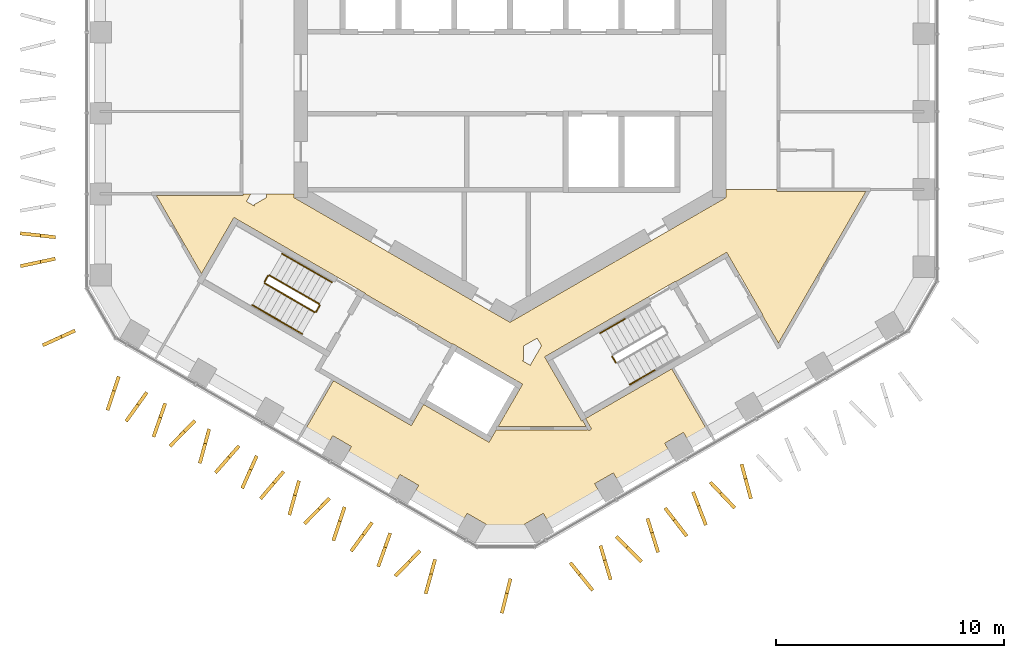
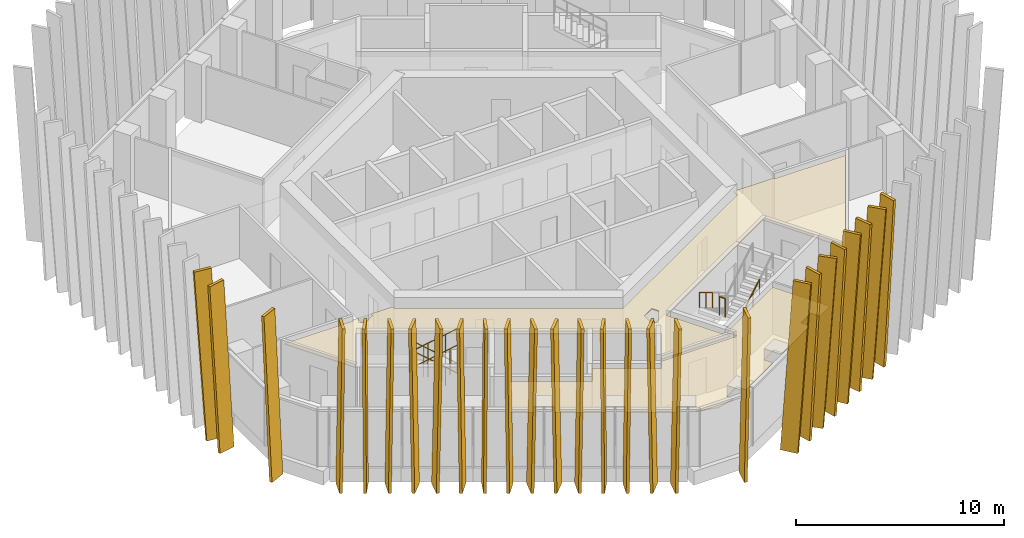
# One storey, part 17 of 20: 27 shading devices, 11 railings, 2 coverings.
"""IFC4 building model written with IfcOpenShell, lengths in metres."""

from ifc_helpers import new_model, si_unit, direction, frame, origin, origin_2d, place, context, subcontext, project, spatial, polyline, circle, outline, extrude, material, layer, layer_set, type_object, element, save


model = new_model("IFC4")

# Units and contexts
model_context = context("Model", 3, precision=1e-05, world=origin(), true_north=direction((0.0, 1.0)))
body_context = subcontext(model_context, "Body", "Model", "MODEL_VIEW")
ifc_project = project(units=[si_unit("LENGTHUNIT", "METRE"), si_unit("AREAUNIT", "SQUARE_METRE"), si_unit("VOLUMEUNIT", "CUBIC_METRE"), si_unit("PLANEANGLEUNIT", "RADIAN"), si_unit("MASSUNIT", "GRAM", prefix="KILO")], contexts=[model_context])

# Site, building, storey
site_placement = place(None, origin())
site = spatial("IfcSite", under=ifc_project, at=site_placement, CompositionType="ELEMENT")
building_placement = place(site_placement, origin())
building = spatial("IfcBuilding", under=site, at=building_placement, Name="Ayvan Gate Tower", CompositionType="ELEMENT")
storey_placement = place(building_placement, frame((0.0, 0.0, 162.89990234375)))
storey = spatial("IfcBuildingStorey", under=building, at=storey_placement, Name="L43", CompositionType="ELEMENT", Elevation=162.89990234375)

# Shading devices
ifc_material_1 = material(Name="Bronze anodised aluminium", Category="aluminium")
ifc_layer_1 = layer(ifc_material_1, 0.14990234375)
ifc_layer_set_1 = layer_set([ifc_layer_1], Name="Bronze anodised aluminium")
shading_device_type = type_object("IfcShadingDeviceType", Name="Bronze fin 900 x 150", PredefinedType="USERDEFINED", material=ifc_layer_set_1)
shading_device_1_placement = place(storey_placement, frame((-19.9609375, -7.156005859375, 0.0), z_axis=(0.111220487062, 0.99379574232, 0.000160634265), x_axis=(-0.993795755142, 0.111220488497, -2.424e-09)))
element("IfcShadingDevice", 1, at=shading_device_1_placement, inside=storey, type_object=shading_device_type, Name="Bronze fin FG16.3.30", ObjectType="FIN", PredefinedType="USERDEFINED", context=body_context, shape_type="SweptSolid", body=[
    extrude(outline(polyline([(0.0, 0.0), (0.8998716434007181, 0.0), (1.5642121419824784, 10.080078258840933), (0.6640978726649773, 10.080078254478572), (0.0, 0.0)])), origin(), (0.0, 0.0, -1.0), 0.14990234375),
])
shading_device_2_placement = place(storey_placement, frame((-19.997314453125, -8.101806640625, 0.0), z_axis=(-0.206174540305, 0.978515219579, 0.000154859821), x_axis=(-0.978515231313, -0.206174542777, 0.0)))
element("IfcShadingDevice", 2, at=shading_device_2_placement, inside=storey, type_object=shading_device_type, Name="Bronze fin FG16.3.31", ObjectType="FIN", PredefinedType="USERDEFINED", context=body_context, shape_type="SweptSolid", body=[
    extrude(outline(polyline([(0.0, 0.0), (0.8999504618786536, 0.0), (1.5639522883058996, 10.080078245868021), (0.6640018264272461, 10.080078245868021), (0.0, 0.0)])), origin(), (0.0, 0.0, -1.0), 0.14990234375),
])
shading_device_3_placement = place(storey_placement, frame((-19.140380859375, -11.26171875, 0.0), z_axis=(-0.413700742205, 0.910412912026, 0.000159733289), x_axis=(-0.910412923641, -0.413700747483, 0.0)))
element("IfcShadingDevice", 3, at=shading_device_3_placement, inside=storey, type_object=shading_device_type, Name="Bronze fin FG16.4.32", ObjectType="FIN", PredefinedType="USERDEFINED", context=body_context, shape_type="SweptSolid", body=[
    extrude(outline(polyline([(0.0, 0.0), (0.8999607938598058, 0.0), (1.5638637981485566, 10.080078253595206), (0.6639030042887506, 10.080078253595206), (0.0, 0.0)])), origin(), (0.0, 0.0, -1.0), 0.14990234375),
])
shading_device_4_placement = place(storey_placement, frame((-17.263427734375, -13.3271484375, 0.0), z_axis=(-0.947920913203, 0.31850576763, 0.000135268703), x_axis=(-0.318505770544, -0.947920921876, 0.0)))
element("IfcShadingDevice", 4, at=shading_device_4_placement, inside=storey, type_object=shading_device_type, Name="Bronze fin FG16.5.33", ObjectType="FIN", PredefinedType="USERDEFINED", context=body_context, shape_type="SweptSolid", body=[
    extrude(outline(polyline([(0.0, 0.0), (0.8998929383919106, 0.0), (1.5639235650711985, 10.08007821722073), (0.6640306266792877, 10.08007821722073), (0.0, 0.0)])), origin(), (0.0, 0.0, -1.0), 0.14990234375),
])
shading_device_5_placement = place(storey_placement, frame((-16.019775390625, -14.005126953125, 0.0), z_axis=(-0.812228178315, 0.583339836914, 0.000144983554), x_axis=(-0.583339843045, -0.812228186852, 0.0)))
element("IfcShadingDevice", 5, at=shading_device_5_placement, inside=storey, type_object=shading_device_type, Name="Bronze fin FG16.5.34", ObjectType="FIN", PredefinedType="USERDEFINED", context=body_context, shape_type="SweptSolid", body=[
    extrude(outline(polyline([(0.0, 0.0), (0.9002410698267411, 1.3552527156068805e-20), (1.5643779373071562, 10.080078230942789), (0.6641368674804151, 10.080078230942789), (0.0, 0.0)])), origin(), (0.0, 0.0, -1.0), 0.14990234375),
])
shading_device_6_placement = place(storey_placement, frame((-15.220703125, -14.503173828125, 0.0), z_axis=(-0.943928111548, 0.330151030824, 0.000130674048), x_axis=(-0.330151033642, -0.943928119607, 5.851e-09)))
element("IfcShadingDevice", 6, at=shading_device_6_placement, inside=storey, type_object=shading_device_type, Name="Bronze fin FG16.5.35", ObjectType="FIN", PredefinedType="USERDEFINED", context=body_context, shape_type="SweptSolid", body=[
    extrude(outline(polyline([(0.0, 0.0), (0.9000643711365355, -6.776263578034403e-21), (1.5640722944504677, 10.08007820191067), (0.6642383745150081, 10.080078212442077), (0.0, 0.0)])), origin(), (0.0, 0.0, -1.0), 0.14990234375),
])
shading_device_7_placement = place(storey_placement, frame((-13.89990234375, -15.2412109375, 0.0), z_axis=(-0.714123341026, 0.700019879677, 0.000147848231), x_axis=(-0.700019887328, -0.714123348831, 0.0)))
element("IfcShadingDevice", 7, at=shading_device_7_placement, inside=storey, type_object=shading_device_type, Name="Bronze fin FG16.5.36", ObjectType="FIN", PredefinedType="USERDEFINED", context=body_context, shape_type="SweptSolid", body=[
    extrude(outline(polyline([(0.0, 0.0), (0.9001557877600155, 0.0), (1.5643247199125403, 10.080078235170719), (0.6641689321525247, 10.080078235170719), (0.0, 0.0)])), origin(), (0.0, 0.0, -1.0), 0.14990234375),
])
shading_device_8_placement = place(storey_placement, frame((-13.29052734375, -15.637451171875, 0.0), z_axis=(-0.964248710343, 0.264998872013, 0.000149782289), x_axis=(-0.264998874985, -0.964248721159, 0.0)))
element("IfcShadingDevice", 8, at=shading_device_8_placement, inside=storey, type_object=shading_device_type, Name="Bronze fin FG16.5.37", ObjectType="FIN", PredefinedType="USERDEFINED", context=body_context, shape_type="SweptSolid", body=[
    extrude(outline(polyline([(0.0, 0.0), (0.9000996349073335, 6.776263578034403e-21), (1.564315232723871, 10.08007823807194), (0.6642155978165373, 10.08007823807194), (0.0, 0.0)])), origin(), (0.0, 0.0, -1.0), 0.14990234375),
])
shading_device_9_placement = place(storey_placement, frame((-11.965576171875, -16.351318359375, 0.0), z_axis=(-0.750700055099, 0.660643174054, 0.000154437293), x_axis=(-0.660643181935, -0.750700064048, -2.9562e-08)))
element("IfcShadingDevice", 9, at=shading_device_9_placement, inside=storey, type_object=shading_device_type, Name="Bronze fin FG16.5.38", ObjectType="FIN", PredefinedType="USERDEFINED", context=body_context, shape_type="SweptSolid", body=[
    extrude(outline(polyline([(0.0, 0.0), (0.9000277999063849, 0.0), (1.5642256496536986, 10.080078291451548), (0.664175863203829, 10.080078238237023), (0.0, 0.0)])), origin(), (0.0, 0.0, -1.0), 0.14990234375),
])
shading_device_10_placement = place(storey_placement, frame((-11.1982421875, -16.806640625, 0.0), z_axis=(-0.912012836226, 0.410161632473, 0.000147672089), x_axis=(-0.410161636945, -0.91201284617, 0.0)))
element("IfcShadingDevice", 10, at=shading_device_10_placement, inside=storey, type_object=shading_device_type, Name="Bronze fin FG16.5.39", ObjectType="FIN", PredefinedType="USERDEFINED", context=body_context, shape_type="SweptSolid", body=[
    extrude(outline(polyline([(0.0, 0.0), (0.8999881796590448, 6.776263578034403e-21), (1.5640036371903856, 10.080078234908365), (0.6640154575313408, 10.080078234908365), (0.0, 0.0)])), origin(), (0.0, 0.0, -1.0), 0.14990234375),
])
shading_device_11_placement = place(storey_placement, frame((-10.006103515625, -17.481201171875, 0.0), z_axis=(-0.760709851445, 0.649092057232, 0.000152158794), x_axis=(-0.649092064748, -0.76070986025, -1.3396e-08)))
element("IfcShadingDevice", 11, at=shading_device_11_placement, inside=storey, type_object=shading_device_type, Name="Bronze fin FG16.5.40", ObjectType="FIN", PredefinedType="USERDEFINED", context=body_context, shape_type="SweptSolid", body=[
    extrude(outline(polyline([(0.0, 0.0), (0.8999774802446858, 0.0), (1.5642262163473961, 10.080078262643188), (0.6640630159219854, 10.080078238528134), (0.0, 0.0)])), origin(), (0.0, 0.0, -1.0), 0.14990234375),
])
shading_device_12_placement = place(storey_placement, frame((-9.34619140625, -17.912841796875, 0.0), z_axis=(-0.962661977004, 0.270706298408, 0.000134290754), x_axis=(-0.270706300849, -0.962661985684, 0.0)))
element("IfcShadingDevice", 12, at=shading_device_12_placement, inside=storey, type_object=shading_device_type, Name="Bronze fin FG16.5.41", ObjectType="FIN", PredefinedType="USERDEFINED", context=body_context, shape_type="SweptSolid", body=[
    extrude(outline(polyline([(0.0, 0.0), (0.9000615906833644, 6.776263578034403e-21), (1.5641389120730473, 10.0800782158921), (0.6640773213896828, 10.0800782158921), (0.0, 0.0)])), origin(), (0.0, 0.0, -1.0), 0.14990234375),
])
shading_device_13_placement = place(storey_placement, frame((-7.98779296875, -18.655517578125, 0.0), z_axis=(-0.710489677569, 0.703707607336, 0.000146443307), x_axis=(-0.703707614882, -0.710489685187, 0.0)))
element("IfcShadingDevice", 13, at=shading_device_13_placement, inside=storey, type_object=shading_device_type, Name="Bronze fin FG16.5.42", ObjectType="FIN", PredefinedType="USERDEFINED", context=body_context, shape_type="SweptSolid", body=[
    extrude(outline(polyline([(0.0, 0.0), (0.8999487398702626, 1.3552527156068805e-20), (1.5640844978370088, 10.080078233086876), (0.6641357579667462, 10.080078233086876), (0.0, 0.0)])), origin(), (0.0, 0.0, -1.0), 0.14990234375),
])
shading_device_14_placement = place(storey_placement, frame((-7.339599609375, -19.0576171875, 0.0), z_axis=(-0.94911640011, 0.314925447421, 0.000146999119), x_axis=(-0.314925450824, -0.949116410365, 0.0)))
element("IfcShadingDevice", 14, at=shading_device_14_placement, inside=storey, type_object=shading_device_type, Name="Bronze fin FG16.5.43", ObjectType="FIN", PredefinedType="USERDEFINED", context=body_context, shape_type="SweptSolid", body=[
    extrude(outline(polyline([(0.0, 0.0), (0.9000455977227162, 0.0), (1.5642346511976275, 10.080078233908901), (0.6641890534749113, 10.080078233908901), (0.0, 0.0)])), origin(), (0.0, 0.0, -1.0), 0.14990234375),
])
shading_device_15_placement = place(storey_placement, frame((-6.11865234375, -19.7216796875, 0.0), z_axis=(-0.807296668624, 0.590145800602, 0.000151192676), x_axis=(-0.59014580735, -0.80729667785, -1.6554e-08)))
element("IfcShadingDevice", 15, at=shading_device_15_placement, inside=storey, type_object=shading_device_type, Name="Bronze fin FG16.5.44", ObjectType="FIN", PredefinedType="USERDEFINED", context=body_context, shape_type="SweptSolid", body=[
    extrude(outline(polyline([(0.0, 0.0), (0.9000664526548845, 1.3552527156068805e-20), (1.5641986058661792, 10.080078266104922), (0.664276231777542, 10.08007823630815), (0.0, 0.0)])), origin(), (0.0, 0.0, -1.0), 0.14990234375),
])
shading_device_16_placement = place(storey_placement, frame((-5.33447265625, -20.208740234375, 0.0), z_axis=(-0.941046374583, 0.338277552351, 0.000135866508), x_axis=(-0.338277555473, -0.941046383269, 0.0)))
element("IfcShadingDevice", 16, at=shading_device_16_placement, inside=storey, type_object=shading_device_type, Name="Bronze fin FG16.5.45", ObjectType="FIN", PredefinedType="USERDEFINED", context=body_context, shape_type="SweptSolid", body=[
    extrude(outline(polyline([(0.0, 0.0), (0.899980960750526, -6.776263578034403e-21), (1.5641618194400657, 10.080078218037652), (0.6641808586895397, 10.080078218037652), (0.0, 0.0)])), origin(), (0.0, 0.0, -1.0), 0.14990234375),
])
shading_device_17_placement = place(storey_placement, frame((-4.006591796875, -20.95263671875, 0.0), z_axis=(-0.716335596101, 0.697755895862, 0.000153454113), x_axis=(-0.697755904079, -0.716335604534, -1.4906e-08)))
element("IfcShadingDevice", 17, at=shading_device_17_placement, inside=storey, type_object=shading_device_type, Name="Bronze fin FG16.5.46", ObjectType="FIN", PredefinedType="USERDEFINED", context=body_context, shape_type="SweptSolid", body=[
    extrude(outline(polyline([(0.0, 0.0), (0.9001875665940438, 1.3552527156068805e-20), (1.5642146043434768, 10.080078267000445), (0.6641973883119524, 10.080078240165912), (0.0, 0.0)])), origin(), (0.0, 0.0, -1.0), 0.14990234375),
])
shading_device_18_placement = place(storey_placement, frame((-3.364501953125, -21.36865234375, 0.0), z_axis=(-0.964578910636, 0.263794429301, 0.000155645137), x_axis=(-0.263794432493, -0.964578922321, 2.0363e-08)))
element("IfcShadingDevice", 18, at=shading_device_18_placement, inside=storey, type_object=shading_device_type, Name="Bronze fin FG16.5.47", ObjectType="FIN", PredefinedType="USERDEFINED", context=body_context, shape_type="SweptSolid", body=[
    extrude(outline(polyline([(0.0, 0.0), (0.9000124111709518, -6.776263578034403e-21), (1.5642718659277495, 10.080078215244246), (0.6641950518191774, 10.080078251898883), (0.0, 0.0)])), origin(), (0.0, 0.0, -1.0), 0.14990234375),
])
shading_device_19_placement = place(storey_placement, frame((-0.053466796875, -22.21630859375, 0.0), z_axis=(-0.970555932677, 0.2408758156, 0.000151671883), x_axis=(-0.240875818371, -0.970555943841, 0.0)))
element("IfcShadingDevice", 19, at=shading_device_19_placement, inside=storey, type_object=shading_device_type, Name="Bronze fin FG16.6.48", ObjectType="FIN", PredefinedType="USERDEFINED", context=body_context, shape_type="SweptSolid", body=[
    extrude(outline(polyline([(0.0, 0.0), (0.9000358627379677, 0.0), (1.5639925653272035, 10.080078240942873), (0.663956702589236, 10.080078240942873), (0.0, 0.0)])), origin(), (0.0, 0.0, -1.0), 0.14990234375),
])
shading_device_20_placement = place(storey_placement, frame((2.593017578125, -21.580322265625, 0.0), z_axis=(-0.778613980339, -0.627503183458, 0.000156108422), x_axis=(0.627503191104, -0.778613989827, 0.0)))
element("IfcShadingDevice", 20, at=shading_device_20_placement, inside=storey, type_object=shading_device_type, Name="Bronze fin FG16.7.49", ObjectType="FIN", PredefinedType="USERDEFINED", context=body_context, shape_type="SweptSolid", body=[
    extrude(outline(polyline([(0.0, 0.0), (0.8999113847233887, 0.0), (1.564041130246899, 10.080078247824945), (0.6641297455235102, 10.080078247824945), (0.0, 0.0)])), origin(), (0.0, 0.0, -1.0), 0.14990234375),
])
shading_device_21_placement = place(storey_placement, frame((3.904541015625, -20.80419921875, 0.0), z_axis=(-0.958997595398, -0.28341416493, 0.000152112082), x_axis=(0.283414168208, -0.958997606493, 0.0)))
element("IfcShadingDevice", 21, at=shading_device_21_placement, inside=storey, type_object=shading_device_type, Name="Bronze fin FG16.7.50", ObjectType="FIN", PredefinedType="USERDEFINED", context=body_context, shape_type="SweptSolid", body=[
    extrude(outline(polyline([(0.0, 0.0), (0.9001912456874975, 0.0), (1.5643317654200204, 10.08007824161686), (0.6641405197325229, 10.08007824161686), (0.0, 0.0)])), origin(), (0.0, 0.0, -1.0), 0.14990234375),
])
shading_device_22_placement = place(storey_placement, frame((4.619873046875, -20.439697265625, 0.0), z_axis=(-0.70737795725, -0.706835489491, 0.00012803595), x_axis=(0.706835495285, -0.707377963048, 0.0)))
element("IfcShadingDevice", 22, at=shading_device_22_placement, inside=storey, type_object=shading_device_type, Name="Bronze fin FG16.7.51", ObjectType="FIN", PredefinedType="USERDEFINED", context=body_context, shape_type="SweptSolid", body=[
    extrude(outline(polyline([(0.0, 0.0), (0.9001110909034546, 0.0), (1.5644043200119535, 10.080078207622392), (0.6642932291084989, 10.080078207622392), (0.0, 0.0)])), origin(), (0.0, 0.0, -1.0), 0.14990234375),
])
shading_device_23_placement = place(storey_placement, frame((5.970947265625, -19.609375, 0.0), z_axis=(-0.95452098871, -0.298143688104, 0.000152825252), x_axis=(0.298143691586, -0.954520999857, 6.181e-09)))
element("IfcShadingDevice", 23, at=shading_device_23_placement, inside=storey, type_object=shading_device_type, Name="Bronze fin FG16.7.52", ObjectType="FIN", PredefinedType="USERDEFINED", context=body_context, shape_type="SweptSolid", body=[
    extrude(outline(polyline([(0.0, 0.0), (0.8998205064816783, -6.776263578034403e-21), (1.5640211036165852, 10.080078233045352), (0.6639675597814263, 10.080078244170787), (0.0, 0.0)])), origin(), (0.0, 0.0, -1.0), 0.14990234375),
])
shading_device_24_placement = place(storey_placement, frame((6.754150390625, -19.172607421875, 0.0), z_axis=(-0.79281551837, -0.609461672862, 0.000152131985), x_axis=(0.609461679915, -0.792815527544, 0.0)))
element("IfcShadingDevice", 24, at=shading_device_24_placement, inside=storey, type_object=shading_device_type, Name="Bronze fin FG16.7.53", ObjectType="FIN", PredefinedType="USERDEFINED", context=body_context, shape_type="SweptSolid", body=[
    extrude(outline(polyline([(0.0, 0.0), (0.9001123490675531, 0.0), (1.5642887661821296, 10.080078241647374), (0.6641764171145765, 10.080078241647374), (0.0, 0.0)])), origin(), (0.0, 0.0, -1.0), 0.14990234375),
])
shading_device_25_placement = place(storey_placement, frame((7.974609375, -18.446533203125, 0.0), z_axis=(-0.933062141394, -0.359715191013, 0.000147143972), x_axis=(0.359715194906, -0.933062151496, -7.178e-09)))
element("IfcShadingDevice", 25, at=shading_device_25_placement, inside=storey, type_object=shading_device_type, Name="Bronze fin FG16.7.54", ObjectType="FIN", PredefinedType="USERDEFINED", context=body_context, shape_type="SweptSolid", body=[
    extrude(outline(polyline([(0.0, 0.0), (0.9000771849586129, 0.0), (1.563961952889423, 10.080078245350489), (0.6641125663076403, 10.08007823242978), (0.0, 0.0)])), origin(), (0.0, 0.0, -1.0), 0.14990234375),
])
shading_device_26_placement = place(storey_placement, frame((8.7470703125, -18.048828125, 0.0), z_axis=(-0.725310874619, -0.688421465887, 0.000143059614), x_axis=(0.688421472932, -0.725310882041, 0.0)))
element("IfcShadingDevice", 26, at=shading_device_26_placement, inside=storey, type_object=shading_device_type, Name="Bronze fin FG16.7.55", ObjectType="FIN", PredefinedType="USERDEFINED", context=body_context, shape_type="SweptSolid", body=[
    extrude(outline(polyline([(0.0, 0.0), (0.9000720207219932, 0.0), (1.5642087959736508, 10.08007822814971), (0.6641367752516577, 10.08007822814971), (0.0, 0.0)])), origin(), (0.0, 0.0, -1.0), 0.14990234375),
])
shading_device_27_placement = place(storey_placement, frame((10.10693359375, -17.22705078125, 0.0), z_axis=(-0.965792307001, -0.259316794128, 0.000141496011), x_axis=(0.259316796723, -0.965792316669, -4.976e-09)))
element("IfcShadingDevice", 27, at=shading_device_27_placement, inside=storey, type_object=shading_device_type, Name="Bronze fin FG16.7.56", ObjectType="FIN", PredefinedType="USERDEFINED", context=body_context, shape_type="SweptSolid", body=[
    extrude(outline(polyline([(0.0, 0.0), (0.9001692620425595, 0.0), (1.5641289466829402, 10.080078233689987), (0.6641954737801923, 10.080078224733082), (0.0, 0.0)])), origin(), (0.0, 0.0, -1.0), 0.14990234375),
])

# Coverings
ifc_material_2 = material(Name="Plasterboard suspended ceiling")
ifc_layer_2 = layer(ifc_material_2, 0.050048828125)
ifc_layer_set_2 = layer_set([ifc_layer_2], Name="Plasterboard suspended ceiling")
covering_type = type_object("IfcCoveringType", Name="CT-SUSP-50", PredefinedType="CEILING", material=ifc_layer_set_2)
covering_1_placement = place(storey_placement, frame((0.0, 0.0, 2.7001953125)))
element("IfcCovering", 28, at=covering_1_placement, inside=storey, type_object=covering_type, Name="Ceiling Gallery L43", PredefinedType="CEILING", context=body_context, shape_type="SweptSolid", body=[
    extrude(outline(polyline([(-11.914794921875, -6.48681640625), (-12.131103515625, -6.36181640625), (-13.55810546875, -8.8330078125), (-15.54150390625, -5.3974609375), (-11.724853515625, -5.3974609375), (-11.724853515625, -5.322509765625), (-11.38671875, -5.322509765625), (-11.580322265625, -5.65771484375), (-11.2294921875, -5.8603515625), (-11.259765625, -5.80810546875), (-10.699951171875, -5.48486328125), (-10.699951171875, -5.322509765625), (-9.5, -5.322509765625), (-9.5, -5.48486328125), (0.0, -10.9697265625), (8.38720703125, -6.127197265625), (9.5, -5.48486328125), (9.5, -5.137451171875), (11.724853515625, -5.137451171875), (11.724853515625, -5.21240234375), (15.6484375, -5.21240234375), (11.797119140625, -11.883056640625), (11.102294921875, -10.6796875), (11.123779296875, -10.667236328125), (9.623779296875, -8.069091796875), (9.52392578125, -7.89599609375), (7.2939453125, -9.183349609375), (7.281494140625, -9.16162109375), (1.522216796875, -12.48681640625), (1.647216796875, -12.703369140625), (3.147216796875, -15.30126953125), (3.190673828125, -15.2763671875), (3.353271484375, -15.55810546875), (-0.5244140625, -15.55810546875), (0.43115234375, -13.9033203125), (0.55615234375, -13.686767578125), (-2.284423828125, -12.046630859375), (-2.518310546875, -11.91162109375), (-2.53076171875, -11.933349609375), (-6.384521484375, -9.70849609375), (-6.3720703125, -9.686767578125), (-11.91455078125, -6.48681640625), (-11.914794921875, -6.48681640625)]), holes=[polyline([(0.60009765625, -12.6552734375), (0.53955078125, -12.6552734375), (0.890380859375, -12.85791015625), (1.385498046875, -12.0), (1.193115234375, -11.66650390625), (0.60009765625, -12.0087890625), (0.60009765625, -12.6552734375)])]), origin(), (0.0, 0.0, 1.0), 0.0498046875),
])
covering_2_placement = place(storey_placement, frame((0.0, 0.0, 2.7001953125)))
element("IfcCovering", 29, at=covering_2_placement, inside=storey, type_object=covering_type, Name="Ceiling Shared Kitchen L43", PredefinedType="CEILING", context=body_context, shape_type="SweptSolid", body=[
    extrude(outline(polyline([(-4.3359375, -15.510009765625), (-4.245849609375, -15.35400390625), (-3.798583984375, -14.5791015625), (-3.775390625, -14.59228515625), (-0.9189453125, -16.24169921875), (-0.803955078125, -16.042236328125), (-0.61083984375, -15.7080078125), (3.408203125, -15.7080078125), (3.408203125, -15.6533203125), (3.455810546875, -15.735595703125), (3.585693359375, -15.66064453125), (3.320556640625, -15.201416015625), (3.346435546875, -15.186279296875), (7.109375, -13.013916015625), (8.701171875, -15.770751953125), (7.876220703125, -16.2470703125), (7.623779296875, -15.81005859375), (6.801025390625, -16.284912109375), (7.053466796875, -16.72216796875), (4.847412109375, -17.995849609375), (4.79736328125, -18.024658203125), (4.544921875, -17.587646484375), (3.722412109375, -18.0625), (3.974609375, -18.499755859375), (1.718505859375, -19.80224609375), (1.466064453125, -19.365234375), (0.643310546875, -19.840087890625), (0.829833984375, -20.1630859375), (-0.177978515625, -20.43310546875), (-1.2373046875, -20.1494140625), (-1.058837890625, -19.840087890625), (-1.881591796875, -19.365234375), (-2.119140625, -19.776611328125), (-2.85791015625, -19.35009765625), (-4.25048828125, -18.5458984375), (-4.01318359375, -18.134521484375), (-4.835693359375, -17.65966796875), (-5.0732421875, -18.07080078125), (-7.204833984375, -16.84033203125), (-6.96728515625, -16.428955078125), (-7.7900390625, -15.953857421875), (-8.027587890625, -16.365234375), (-9.050048828125, -15.77490234375), (-7.756591796875, -13.534912109375), (-4.3359375, -15.510009765625)])), origin(), (0.0, 0.0, 1.0), 0.0498046875),
])

# Railings
ifc_material_3 = material(Name="Stainless steel balustrade", Category="steel")
railing_type_1 = type_object("IfcRailingType", Name="RL-GUARD-1100", PredefinedType="GUARDRAIL", material=ifc_material_3)
railing_1_placement = place(storey_placement, frame((-8.381103515625, -10.16650390625, 0.170166015625)))
element("IfcRailing", 30, at=railing_1_placement, inside=storey, type_object=railing_type_1, Name="L43 STS2 stair guard 1", PredefinedType="GUARDRAIL", context=body_context, shape_type="SweptSolid", body=[
    extrude(circle(Radius=0.02392578125, at=origin_2d()), frame((0.0, 0.0, 1.076171875), z_axis=(-0.740261155115, 0.427395438142, 0.518986090067), x_axis=(-0.500004791531, -0.866022637375, 0.0)), (0.0, 0.0, 1.0), 2.947998046875),
    extrude(circle(Radius=0.02099609375, at=origin_2d()), origin(), (0.0, 0.0, 1.0), 1.052001953125),
    extrude(circle(Radius=0.02099609375, at=origin_2d()), frame((-0.7275390625, 0.419921875, 0.510009765625)), (0.0, 0.0, 1.0), 1.052001953125),
    extrude(circle(Radius=0.02099609375, at=origin_2d()), frame((-1.454833984375, 0.840087890625, 1.02001953125)), (0.0, 0.0, 1.0), 1.052001953125),
    extrude(circle(Radius=0.02099609375, at=origin_2d()), frame((-2.182373046875, 1.260009765625, 1.530029296875)), (0.0, 0.0, 1.0), 1.052001953125),
])
railing_2_placement = place(storey_placement, frame((-10.6318359375, -8.9248046875, 1.7001953125)))
element("IfcRailing", 31, at=railing_2_placement, inside=storey, type_object=railing_type_1, Name="L43 STS2 stair guard 2", PredefinedType="GUARDRAIL", context=body_context, shape_type="SweptSolid", body=[
    extrude(circle(Radius=0.02392578125, at=origin_2d()), frame((0.0, 0.0, 1.076171875), z_axis=(-0.499949632511, -0.866054481515, 0.0), x_axis=(0.866054481515, -0.499949632511, 0.0)), (0.0, 0.0, 1.0), 0.31005859375),
    extrude(circle(Radius=0.02099609375, at=origin_2d()), origin(), (0.0, 0.0, 1.0), 1.052001953125),
    extrude(circle(Radius=0.02099609375, at=origin_2d()), frame((-0.155029296875, -0.2685546875, 0.0)), (0.0, 0.0, 1.0), 1.052001953125),
])
railing_3_placement = place(storey_placement, frame((-10.7685546875, -9.261474609375, 1.8701171875)))
element("IfcRailing", 32, at=railing_3_placement, inside=storey, type_object=railing_type_1, Name="L43 STS2 stair guard 3", PredefinedType="GUARDRAIL", context=body_context, shape_type="SweptSolid", body=[
    extrude(circle(Radius=0.02392578125, at=origin_2d()), frame((0.0, 0.0, 1.076171875), z_axis=(0.740261155115, -0.427395438142, 0.518986090067), x_axis=(0.500004791531, 0.866022637375, 0.0)), (0.0, 0.0, 1.0), 2.947998046875),
    extrude(circle(Radius=0.02099609375, at=origin_2d()), origin(), (0.0, 0.0, 1.0), 1.052001953125),
    extrude(circle(Radius=0.02099609375, at=origin_2d()), frame((0.7275390625, -0.419921875, 0.510009765625)), (0.0, 0.0, 1.0), 1.052001953125),
    extrude(circle(Radius=0.02099609375, at=origin_2d()), frame((1.454833984375, -0.840087890625, 1.02001953125)), (0.0, 0.0, 1.0), 1.052001953125),
    extrude(circle(Radius=0.02099609375, at=origin_2d()), frame((2.182373046875, -1.260009765625, 1.530029296875)), (0.0, 0.0, 1.0), 1.052001953125),
])
railing_4_placement = place(storey_placement, frame((-8.36279296875, -10.23486328125, 0.0)))
element("IfcRailing", 33, at=railing_4_placement, inside=storey, type_object=railing_type_1, Name="L43 STS2 stair guard 4", PredefinedType="GUARDRAIL", context=body_context, shape_type="SweptSolid", body=[
    extrude(circle(Radius=0.02392578125, at=origin_2d()), frame((0.0, 0.0, 1.076171875), z_axis=(-0.500290723946, -0.86585748916, 0.0), x_axis=(0.86585748916, -0.500290723946, 0.0)), (0.0, 0.0, 1.0), 0.309814453125),
    extrude(circle(Radius=0.02099609375, at=origin_2d()), origin(), (0.0, 0.0, 1.0), 1.052001953125),
    extrude(circle(Radius=0.02099609375, at=origin_2d()), frame((-0.155029296875, -0.268310546875, 0.0)), (0.0, 0.0, 1.0), 1.052001953125),
])
railing_5_placement = place(storey_placement, frame((4.49169921875, -12.4697265625, 1.7001953125)))
element("IfcRailing", 34, at=railing_5_placement, inside=storey, type_object=railing_type_1, Name="L43 STS3 stair guard 2", PredefinedType="GUARDRAIL", context=body_context, shape_type="SweptSolid", body=[
    extrude(circle(Radius=0.02392578125, at=origin_2d()), frame((0.0, 0.0, 1.076171875), z_axis=(0.499949632511, -0.866054481515, 0.0), x_axis=(0.866054481515, 0.499949632511, 0.0)), (0.0, 0.0, 1.0), 0.31005859375),
    extrude(circle(Radius=0.02099609375, at=origin_2d()), origin(), (0.0, 0.0, 1.0), 1.052001953125),
    extrude(circle(Radius=0.02099609375, at=origin_2d()), frame((0.155029296875, -0.2685546875, 0.0)), (0.0, 0.0, 1.0), 1.052001953125),
])
railing_type_2 = type_object("IfcRailingType", Name="RL-HANDRAIL-900", PredefinedType="HANDRAIL", material=ifc_material_3)
railing_6_placement = place(storey_placement, frame((-7.8310546875, -9.2138671875, 0.170166015625)))
element("IfcRailing", 35, at=railing_6_placement, inside=storey, type_object=railing_type_2, Name="L43 STS2 stair handrail 1", PredefinedType="HANDRAIL", context=body_context, shape_type="SweptSolid", body=[
    extrude(circle(Radius=0.02392578125, at=origin_2d()), frame((0.0, 0.0, 0.8759765625), z_axis=(-0.740356597536, 0.427319915356, 0.518912129772), x_axis=(-0.499890179513, -0.866088799389, 0.0)), (0.0, 0.0, 1.0), 1.47412109375),
    extrude(circle(Radius=0.02099609375, at=origin_2d()), origin(), (0.0, 0.0, 1.0), 0.851806640625),
    extrude(circle(Radius=0.02099609375, at=origin_2d()), frame((-0.545654296875, 0.31494140625, 0.38232421875)), (0.0, 0.0, 1.0), 0.851806640625),
    extrude(circle(Radius=0.02099609375, at=origin_2d()), frame((-1.09130859375, 0.6298828125, 0.764892578125)), (0.0, 0.0, 1.0), 0.851806640625),
])
railing_7_placement = place(storey_placement, frame((-8.92236328125, -8.583984375, 0.93505859375)))
element("IfcRailing", 36, at=railing_7_placement, inside=storey, type_object=railing_type_2, Name="L43 STS2 stair handrail 2", PredefinedType="HANDRAIL", context=body_context, shape_type="SweptSolid", body=[
    extrude(circle(Radius=0.02392578125, at=origin_2d()), frame((0.0, 0.0, 0.8759765625), z_axis=(-0.740165700939, 0.427470949681, 0.519060037311), x_axis=(-0.50011940292, -0.865956455501, 0.0)), (0.0, 0.0, 1.0), 1.47412109375),
    extrude(circle(Radius=0.02099609375, at=origin_2d()), origin(), (0.0, 0.0, 1.0), 0.851806640625),
    extrude(circle(Radius=0.02099609375, at=origin_2d()), frame((-0.54541015625, 0.31494140625, 0.382568359375)), (0.0, 0.0, 1.0), 0.851806640625),
    extrude(circle(Radius=0.02099609375, at=origin_2d()), frame((-1.091064453125, 0.630126953125, 0.76513671875)), (0.0, 0.0, 1.0), 0.851806640625),
])
railing_8_placement = place(storey_placement, frame((-11.318603515625, -10.214111328125, 1.8701171875)))
element("IfcRailing", 37, at=railing_8_placement, inside=storey, type_object=railing_type_2, Name="L43 STS2 stair handrail 3", PredefinedType="HANDRAIL", context=body_context, shape_type="SweptSolid", body=[
    extrude(circle(Radius=0.02392578125, at=origin_2d()), frame((0.0, 0.0, 0.8759765625), z_axis=(0.740304193401, -0.427455284825, 0.518875399983), x_axis=(0.500035496587, 0.86600490885, 0.0)), (0.0, 0.0, 1.0), 1.47412109375),
    extrude(circle(Radius=0.02099609375, at=origin_2d()), origin(), (0.0, 0.0, 1.0), 0.851806640625),
    extrude(circle(Radius=0.02099609375, at=origin_2d()), frame((0.545654296875, -0.31494140625, 0.38232421875)), (0.0, 0.0, 1.0), 0.851806640625),
    extrude(circle(Radius=0.02099609375, at=origin_2d()), frame((1.09130859375, -0.630126953125, 0.764892578125)), (0.0, 0.0, 1.0), 0.851806640625),
])
railing_9_placement = place(storey_placement, frame((-10.227294921875, -10.84423828125, 2.635009765625)))
element("IfcRailing", 38, at=railing_9_placement, inside=storey, type_object=railing_type_2, Name="L43 STS2 stair handrail 4", PredefinedType="HANDRAIL", context=body_context, shape_type="SweptSolid", body=[
    extrude(circle(Radius=0.02392578125, at=origin_2d()), frame((0.0, 0.0, 0.8759765625), z_axis=(0.740292964666, -0.42728318766, 0.519033143459), x_axis=(0.499890179513, 0.866088799389, 0.0)), (0.0, 0.0, 1.0), 1.47412109375),
    extrude(circle(Radius=0.02099609375, at=origin_2d()), origin(), (0.0, 0.0, 1.0), 0.851806640625),
    extrude(circle(Radius=0.02099609375, at=origin_2d()), frame((0.545654296875, -0.31494140625, 0.382568359375)), (0.0, 0.0, 1.0), 0.851806640625),
    extrude(circle(Radius=0.02099609375, at=origin_2d()), frame((1.09130859375, -0.6298828125, 0.76513671875)), (0.0, 0.0, 1.0), 0.851806640625),
])
railing_10_placement = place(storey_placement, frame((5.05126953125, -10.81884765625, 0.93505859375)))
element("IfcRailing", 39, at=railing_10_placement, inside=storey, type_object=railing_type_2, Name="L43 STS3 stair handrail 2", PredefinedType="HANDRAIL", context=body_context, shape_type="SweptSolid", body=[
    extrude(circle(Radius=0.02392578125, at=origin_2d()), frame((0.0, 0.0, 0.8759765625), z_axis=(-0.740240574041, -0.427418550694, 0.518996411419), x_axis=(0.500035496587, -0.86600490885, 0.0)), (0.0, 0.0, 1.0), 1.474365234375),
    extrude(circle(Radius=0.02099609375, at=origin_2d()), origin(), (0.0, 0.0, 1.0), 0.851806640625),
    extrude(circle(Radius=0.02099609375, at=origin_2d()), frame((-0.545654296875, -0.31494140625, 0.382568359375)), (0.0, 0.0, 1.0), 0.851806640625),
    extrude(circle(Radius=0.02099609375, at=origin_2d()), frame((-1.09130859375, -0.630126953125, 0.76513671875)), (0.0, 0.0, 1.0), 0.851806640625),
])
railing_11_placement = place(storey_placement, frame((5.264892578125, -13.709228515625, 1.8701171875)))
element("IfcRailing", 40, at=railing_11_placement, inside=storey, type_object=railing_type_2, Name="L43 STS3 stair handrail 3", PredefinedType="HANDRAIL", context=body_context, shape_type="SweptSolid", body=[
    extrude(circle(Radius=0.02392578125, at=origin_2d()), frame((0.0, 0.0, 0.8759765625), z_axis=(0.740304193401, 0.427455284825, 0.518875399983), x_axis=(-0.500035496587, 0.86600490885, 0.0)), (0.0, 0.0, 1.0), 1.47412109375),
    extrude(circle(Radius=0.02099609375, at=origin_2d()), origin(), (0.0, 0.0, 1.0), 0.851806640625),
    extrude(circle(Radius=0.02099609375, at=origin_2d()), frame((0.545654296875, 0.31494140625, 0.38232421875)), (0.0, 0.0, 1.0), 0.851806640625),
    extrude(circle(Radius=0.02099609375, at=origin_2d()), frame((1.09130859375, 0.630126953125, 0.764892578125)), (0.0, 0.0, 1.0), 0.851806640625),
])

save(model, "model.ifc")
